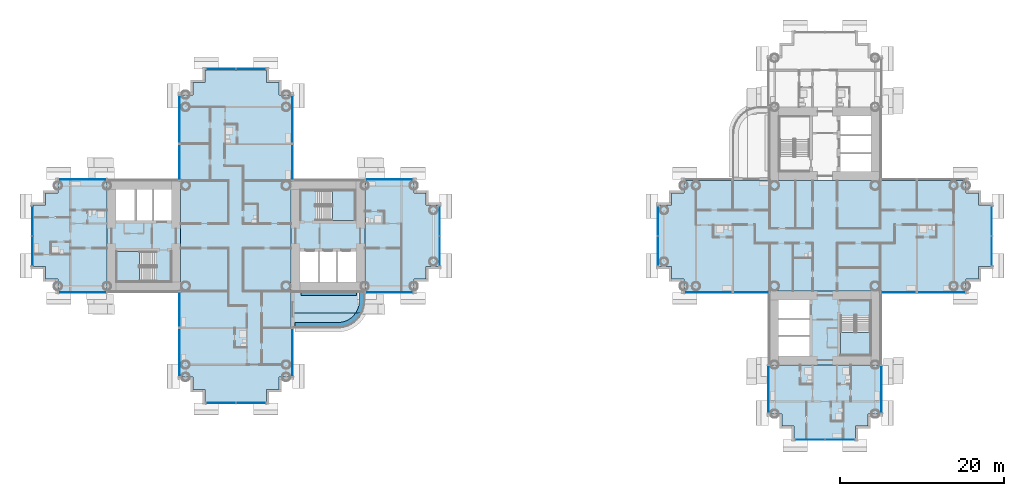
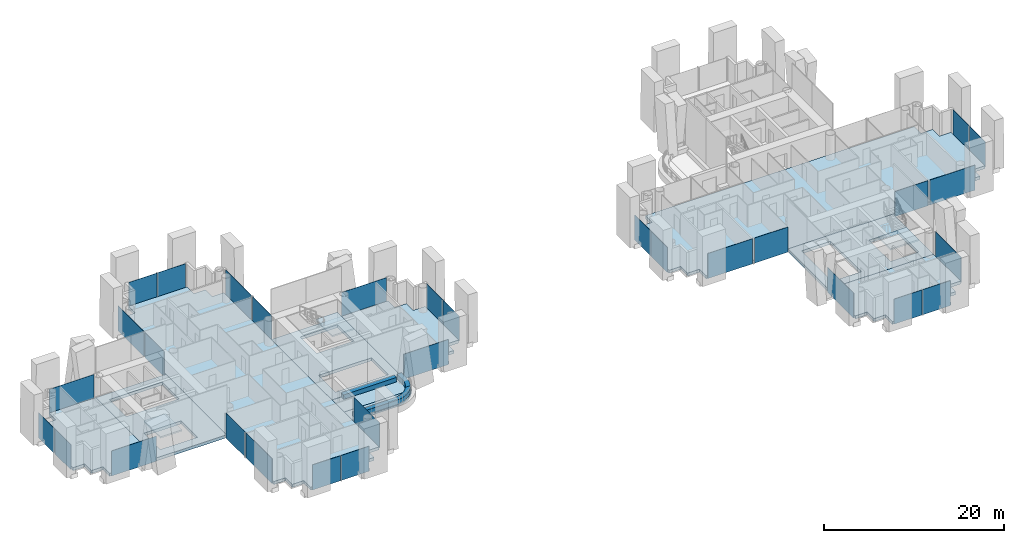
# One storey, part 8 of 23: 31 plates, 16 slabs, 27 elements without a shape of their own.
"""IFC4 building model written with IfcOpenShell, lengths in metres."""

from ifc_helpers import new_model, si_unit, direction, frame, origin, origin_2d, place, context, subcontext, project, spatial, polyline, rectangle, outline, extrude, material, layer, layer_set, type_object, element, aggregate, save


model = new_model("IFC4")

# Units and contexts
model_context = context("Model", 3, precision=1e-05, world=origin(), true_north=direction((0.0, 1.0)))
body_context = subcontext(model_context, "Body", "Model", "MODEL_VIEW")
ifc_project = project(units=[si_unit("LENGTHUNIT", "METRE"), si_unit("AREAUNIT", "SQUARE_METRE"), si_unit("VOLUMEUNIT", "CUBIC_METRE"), si_unit("PLANEANGLEUNIT", "RADIAN"), si_unit("MASSUNIT", "GRAM", prefix="KILO")], contexts=[model_context])

# Site, building, storey
site_placement = place(None, origin())
site = spatial("IfcSite", under=ifc_project, at=site_placement, CompositionType="ELEMENT")
building_placement = place(site_placement, origin())
building = spatial("IfcBuilding", under=site, at=building_placement, Name="Ipe Terrace Towers", CompositionType="ELEMENT")
storey_placement = place(building_placement, frame((0.0, 0.0, 44.89990234375)))
storey = spatial("IfcBuildingStorey", under=building, at=storey_placement, Name="L11", CompositionType="ELEMENT", Elevation=44.89990234375)

# Slabs
ifc_material_1 = material(Name="Concrete C30/37", Category="concrete")
ifc_layer_1 = layer(ifc_material_1, 0.199951171875)
ifc_layer_set_1 = layer_set([ifc_layer_1], Name="BALCONY SLAB 200")
slab_type_1 = type_object("IfcSlabType", Name="BALCONY SLAB 200", PredefinedType="FLOOR", material=ifc_layer_set_1)
slab_1_placement = place(storey_placement, frame((0.0, 0.0, -0.219970703125)))
element("IfcSlab", 1, at=slab_1_placement, inside=storey, type_object=slab_type_1, Name="balcony slab", PredefinedType="FLOOR", context=body_context, shape_type="SweptSolid", body=[
    extrude(outline(polyline([(-20.5009765625, -9.212890625), (-20.362060546875, -8.803955078125), (-20.278076171875, -8.381103515625), (-20.25, -7.949951171875), (-20.25, -6.75), (-29.25, -6.75), (-29.25, -9.449951171875), (-20.617919921875, -9.449951171875), (-20.5009765625, -9.212890625)])), origin(), (0.0, 0.0, 1.0), 0.199951171875),
])
slab_2_placement = place(storey_placement, frame((0.0, 0.0, -0.219970703125)))
element("IfcSlab", 2, at=slab_2_placement, inside=storey, type_object=slab_type_1, Name="balcony slab", PredefinedType="FLOOR", context=body_context, shape_type="SweptSolid", body=[
    extrude(outline(polyline([(-29.25, -11.25), (-23.550048828125, -11.25), (-23.118896484375, -11.221923828125), (-22.696044921875, -11.137939453125), (-22.287109375, -10.9990234375), (-21.89990234375, -10.80810546875), (-21.541015625, -10.568115234375), (-21.217041015625, -10.282958984375), (-20.931884765625, -9.958984375), (-20.69189453125, -9.60009765625), (-20.617919921875, -9.449951171875), (-29.25, -9.449951171875), (-29.25, -11.25)])), origin(), (0.0, 0.0, 1.0), 0.199951171875),
])
ifc_material_2 = material(Name="Concrete C30/37", Category="concrete")
ifc_layer_2 = layer(ifc_material_2, 0.39990234375)
ifc_layer_set_2 = layer_set([ifc_layer_2], Name="CORE FLOOR SLAB 400 C30-37")
slab_type_2 = type_object("IfcSlabType", Name="CORE FLOOR SLAB 400 C30-37", PredefinedType="FLOOR", material=ifc_layer_set_2)
slab_3_placement = place(storey_placement, frame((0.0, 0.0, -0.39990234375)))
element("IfcSlab", 3, at=slab_3_placement, inside=storey, type_object=slab_type_2, Name="Core floor T1-C1", PredefinedType="FLOOR", context=body_context, shape_type="SweptSolid", body=[
    extrude(outline(polyline([(-29.25, -6.75), (-29.25, 6.75), (-20.25, 6.75), (-20.25, -6.75), (-29.25, -6.75)]), holes=[polyline([(-28.14990234375, -5.64990234375), (-21.35009765625, -5.64990234375), (-21.35009765625, -1.89990234375), (-28.14990234375, -1.89990234375), (-28.14990234375, -5.64990234375)]), polyline([(-26.199951171875, 5.550048828125), (-26.199951171875, 1.89990234375), (-21.449951171875, 1.89990234375), (-21.449951171875, 5.550048828125), (-26.199951171875, 5.550048828125)])]), origin(), (0.0, 0.0, 1.0), 0.39990234375),
])
slab_4_placement = place(storey_placement, frame((0.0, 0.0, -0.39990234375)))
element("IfcSlab", 4, at=slab_4_placement, inside=storey, type_object=slab_type_2, Name="Core floor T1-C2", PredefinedType="FLOOR", context=body_context, shape_type="SweptSolid", body=[
    extrude(outline(polyline([(-51.75, -6.75), (-51.75, 6.75), (-42.75, 6.75), (-42.75, -6.75), (-51.75, -6.75)]), holes=[polyline([(-45.800048828125, -5.550048828125), (-45.800048828125, -1.89990234375), (-50.550048828125, -1.89990234375), (-50.550048828125, -5.550048828125), (-45.800048828125, -5.550048828125)]), polyline([(-50.64990234375, 1.89990234375), (-43.85009765625, 1.89990234375), (-43.85009765625, 5.64990234375), (-50.64990234375, 5.64990234375), (-50.64990234375, 1.89990234375)])]), origin(), (0.0, 0.0, 1.0), 0.39990234375),
])
slab_5_placement = place(storey_placement, frame((0.0, 0.0, -0.39990234375)))
element("IfcSlab", 5, at=slab_5_placement, inside=storey, type_object=slab_type_2, Name="Core floor T2-C2", PredefinedType="FLOOR", context=body_context, shape_type="SweptSolid", body=[
    extrude(outline(polyline([(29.25, -15.75), (29.25, -6.75), (42.75, -6.75), (42.75, -15.75), (29.25, -15.75)]), holes=[polyline([(34.10009765625, -14.64990234375), (34.10009765625, -7.85009765625), (30.35009765625, -7.85009765625), (30.35009765625, -14.64990234375), (34.10009765625, -14.64990234375)]), polyline([(41.550048828125, -9.800048828125), (37.89990234375, -9.800048828125), (37.89990234375, -14.550048828125), (41.550048828125, -14.550048828125), (41.550048828125, -9.800048828125)])]), origin(), (0.0, 0.0, 1.0), 0.39990234375),
])

# Stair, slab
ifc_material_3 = material(Name="Concrete C30/37", Category="concrete")
stair_type = type_object("IfcStairType", Name="Protected exit stair", PredefinedType="HALF_TURN_STAIR", material=ifc_material_3)
stair_1_placement = place(storey_placement, origin())
stair_1 = element("IfcStair", 6, at=stair_1_placement, inside=storey, type_object=stair_type, Name="L11 Exit stair T1-C1", PredefinedType="HALF_TURN_STAIR")
ifc_material_4 = material(Name="Concrete C30/37", Category="concrete")
ifc_layer_3 = layer(ifc_material_4, 0.199951171875)
ifc_layer_set_3 = layer_set([ifc_layer_3], Name="Exit stair landing 200")
slab_type_3 = type_object("IfcSlabType", Name="Exit stair landing 200", PredefinedType="LANDING", material=ifc_layer_set_3)
slab_6_placement = place(storey_placement, frame((0.0, 0.0, 1.5)))
slab_6 = element("IfcSlab", 7, at=slab_6_placement, type_object=slab_type_3, Name="T1-ST1 landing 1", PredefinedType="LANDING", context=body_context, shape_type="SweptSolid", body=[
    extrude(outline(polyline([(-24.219970703125, 1.89990234375), (-21.449951171875, 1.89990234375), (-21.449951171875, 5.550048828125), (-24.219970703125, 5.550048828125), (-24.219970703125, 1.89990234375)])), origin(), (0.0, 0.0, 1.0), 0.2001953125),
])
aggregate(stair_1, [slab_6])

stair_2_placement = place(storey_placement, origin())
stair_2 = element("IfcStair", 8, at=stair_2_placement, inside=storey, type_object=stair_type, Name="L11 Exit stair T1-C2", PredefinedType="HALF_TURN_STAIR")
slab_7_placement = place(storey_placement, frame((0.0, 0.0, 1.5)))
slab_7 = element("IfcSlab", 9, at=slab_7_placement, type_object=slab_type_3, Name="T1-ST2 landing 1", PredefinedType="LANDING", context=body_context, shape_type="SweptSolid", body=[
    extrude(outline(polyline([(-47.780029296875, -1.89990234375), (-50.550048828125, -1.89990234375), (-50.550048828125, -5.550048828125), (-47.780029296875, -5.550048828125), (-47.780029296875, -1.89990234375)])), origin(), (0.0, 0.0, 1.0), 0.2001953125),
])
aggregate(stair_2, [slab_7])

stair_3_placement = place(storey_placement, origin())
stair_3 = element("IfcStair", 10, at=stair_3_placement, inside=storey, type_object=stair_type, Name="L11 Exit stair T2-C2", PredefinedType="HALF_TURN_STAIR")
slab_8_placement = place(storey_placement, frame((0.0, 0.0, 1.5)))
slab_8 = element("IfcSlab", 11, at=slab_8_placement, type_object=slab_type_3, Name="T2-ST2 landing 1", PredefinedType="LANDING", context=body_context, shape_type="SweptSolid", body=[
    extrude(outline(polyline([(37.89990234375, -11.780029296875), (37.89990234375, -14.550048828125), (41.550048828125, -14.550048828125), (41.550048828125, -11.780029296875), (37.89990234375, -11.780029296875)])), origin(), (0.0, 0.0, 1.0), 0.2001953125),
])
aggregate(stair_3, [slab_8])

# Slabs
ifc_material_5 = material(Name="Concrete C40/50", Category="concrete")
ifc_layer_4 = layer(ifc_material_5, 0.39990234375)
ifc_layer_set_4 = layer_set([ifc_layer_4], Name="FLAT PLATE SLAB 400 C40-50")
slab_type_4 = type_object("IfcSlabType", Name="FLAT PLATE SLAB 400 C40-50", PredefinedType="FLOOR", material=ifc_layer_set_4)
slab_9_placement = place(storey_placement, frame((0.0, 0.0, -0.39990234375)))
element("IfcSlab", 12, at=slab_9_placement, inside=storey, type_object=slab_type_4, Name="Slab T1-FS-Z11", PredefinedType="FLOOR", context=body_context, shape_type="SweptSolid", body=[
    extrude(outline(polyline([(-30.75, -17.25), (-30.75, -18.75), (-32.25, -18.75), (-32.25, -20.25), (-39.75, -20.25), (-39.75, -18.75), (-41.25, -18.75), (-41.25, -17.25), (-42.75, -17.25), (-42.75, -6.75), (-42.75, 6.75), (-42.75, 17.25), (-41.25, 17.25), (-41.25, 18.75), (-39.75, 18.75), (-39.75, 20.25), (-32.25, 20.25), (-32.25, 18.75), (-30.75, 18.75), (-30.75, 17.25), (-29.25, 17.25), (-29.25, 6.75), (-29.25, -6.75), (-29.25, -17.25), (-30.75, -17.25)])), origin(), (0.0, 0.0, 1.0), 0.39990234375),
])
slab_10_placement = place(storey_placement, frame((0.0, 0.0, -0.39990234375)))
element("IfcSlab", 13, at=slab_10_placement, inside=storey, type_object=slab_type_4, Name="Slab T1-FS-Z12", PredefinedType="FLOOR", context=body_context, shape_type="SweptSolid", body=[
    extrude(outline(polyline([(-57.75, -6.75), (-57.75, -5.25), (-59.25, -5.25), (-59.25, -3.75), (-60.75, -3.75), (-60.75, 3.75), (-59.25, 3.75), (-59.25, 5.25), (-57.75, 5.25), (-57.75, 6.75), (-51.75, 6.75), (-51.75, -6.75), (-57.75, -6.75)])), origin(), (0.0, 0.0, 1.0), 0.39990234375),
])
slab_11_placement = place(storey_placement, frame((0.0, 0.0, -0.39990234375)))
element("IfcSlab", 14, at=slab_11_placement, inside=storey, type_object=slab_type_4, Name="Slab T1-FS-Z13", PredefinedType="FLOOR", context=body_context, shape_type="SweptSolid", body=[
    extrude(outline(polyline([(-14.25, 5.25), (-12.75, 5.25), (-12.75, 3.75), (-11.25, 3.75), (-11.25, -3.75), (-12.75, -3.75), (-12.75, -5.25), (-14.25, -5.25), (-14.25, -6.75), (-20.25, -6.75), (-20.25, 6.75), (-14.25, 6.75), (-14.25, 5.25)])), origin(), (0.0, 0.0, 1.0), 0.39990234375),
])
slab_12_placement = place(storey_placement, frame((0.0, 0.0, -0.39990234375)))
element("IfcSlab", 15, at=slab_12_placement, inside=storey, type_object=slab_type_4, Name="Slab T2-FS-Z11", PredefinedType="FLOOR", context=body_context, shape_type="SweptSolid", body=[
    extrude(outline(polyline([(53.25, 5.25), (54.75, 5.25), (54.75, 3.75), (56.25, 3.75), (56.25, -3.75), (54.75, -3.75), (54.75, -5.25), (53.25, -5.25), (53.25, -6.75), (42.75, -6.75), (29.25, -6.75), (18.75, -6.75), (18.75, -5.25), (17.25, -5.25), (17.25, -3.75), (15.75, -3.75), (15.75, 3.75), (17.25, 3.75), (17.25, 5.25), (18.75, 5.25), (18.75, 6.75), (29.25, 6.75), (42.75, 6.75), (53.25, 6.75), (53.25, 5.25)])), origin(), (0.0, 0.0, 1.0), 0.39990234375),
])
slab_13_placement = place(storey_placement, frame((0.0, 0.0, -0.39990234375)))
element("IfcSlab", 16, at=slab_13_placement, inside=storey, type_object=slab_type_4, Name="Slab T2-FS-Z12", PredefinedType="FLOOR", context=body_context, shape_type="SweptSolid", body=[
    extrude(outline(polyline([(42.75, -21.75), (41.25, -21.75), (41.25, -23.25), (39.75, -23.25), (39.75, -24.75), (32.25, -24.75), (32.25, -23.25), (30.75, -23.25), (30.75, -21.75), (29.25, -21.75), (29.25, -15.75), (42.75, -15.75), (42.75, -21.75)])), origin(), (0.0, 0.0, 1.0), 0.39990234375),
])
ifc_material_6 = material(Name="Concrete C30/37", Category="concrete")
ifc_layer_5 = layer(ifc_material_6, 0.60009765625)
ifc_layer_set_5 = layer_set([ifc_layer_5], Name="PLANTER TROUGH 550 x 600")
slab_type_5 = type_object("IfcSlabType", Name="PLANTER TROUGH 550 x 600", PredefinedType="USERDEFINED", material=ifc_layer_set_5)
slab_14_placement = place(storey_placement, frame((0.0, 0.0, -0.02001953125)))
element("IfcSlab", 17, at=slab_14_placement, inside=storey, type_object=slab_type_5, Name="planter", ObjectType="PLANTER", PredefinedType="USERDEFINED", context=body_context, shape_type="SweptSolid", body=[
    extrude(outline(polyline([(-21.0009765625, -8.633056640625), (-21.112060546875, -8.9599609375), (-21.264892578125, -9.26904296875), (-21.385986328125, -9.449951171875), (-20.740966796875, -9.449951171875), (-20.611083984375, -9.18701171875), (-20.596923828125, -9.154052734375), (-20.47509765625, -8.79296875), (-20.465087890625, -8.758056640625), (-20.39111328125, -8.384033203125), (-20.385986328125, -8.347900390625), (-20.361083984375, -7.955078125), (-20.360107421875, -7.93701171875), (-20.360107421875, -6.75), (-20.909912109375, -6.75), (-20.909912109375, -7.927978515625), (-20.93408203125, -8.2939453125), (-21.0009765625, -8.633056640625)])), origin(), (0.0, 0.0, 1.0), 0.60009765625),
])
slab_15_placement = place(storey_placement, frame((0.0, 0.0, -0.02001953125)))
element("IfcSlab", 18, at=slab_15_placement, inside=storey, type_object=slab_type_5, Name="planter", ObjectType="PLANTER", PredefinedType="USERDEFINED", context=body_context, shape_type="SweptSolid", body=[
    extrude(outline(polyline([(-21.45703125, -9.555908203125), (-21.68408203125, -9.81591796875), (-21.944091796875, -10.04296875), (-22.23095703125, -10.235107421875), (-22.5400390625, -10.387939453125), (-22.866943359375, -10.4990234375), (-23.2060546875, -10.56591796875), (-23.572021484375, -10.590087890625), (-28.800048828125, -10.590087890625), (-28.800048828125, -11.139892578125), (-23.56298828125, -11.139892578125), (-23.544921875, -11.138916015625), (-23.152099609375, -11.114013671875), (-23.115966796875, -11.10888671875), (-22.741943359375, -11.034912109375), (-22.70703125, -11.02490234375), (-22.345947265625, -10.903076171875), (-22.31298828125, -10.888916015625), (-21.970947265625, -10.719970703125), (-21.93994140625, -10.701904296875), (-21.623046875, -10.490966796875), (-21.594970703125, -10.468994140625), (-21.30810546875, -10.217041015625), (-21.282958984375, -10.19189453125), (-21.031005859375, -9.905029296875), (-21.009033203125, -9.876953125), (-20.798095703125, -9.56005859375), (-20.780029296875, -9.529052734375), (-20.740966796875, -9.449951171875), (-21.385986328125, -9.449951171875), (-21.45703125, -9.555908203125)])), origin(), (0.0, 0.0, 1.0), 0.60009765625),
])
slab_16_placement = place(storey_placement, frame((0.0, 0.0, -0.02001953125)))
element("IfcSlab", 19, at=slab_16_placement, inside=storey, type_object=slab_type_5, Name="planter", ObjectType="PLANTER", PredefinedType="USERDEFINED", context=body_context, shape_type="SweptSolid", body=[
    extrude(outline(polyline([(-28.050048828125, -6.75), (-28.050048828125, -7.300048828125), (-21.25, -7.300048828125), (-21.25, -6.75), (-28.050048828125, -6.75)])), origin(), (0.0, 0.0, 1.0), 0.60009765625),
])

# Curtain wall, plate
ifc_material_7 = material(Name="Aluminium alloy 6063-T6", Category="aluminium")
ifc_layer_6 = layer(ifc_material_7, 0.320068359375)
ifc_layer_set_6 = layer_set([ifc_layer_6], Name="TOWER UNITISED CURTAIN WALL")
curtain_wall_type = type_object("IfcCurtainWallType", Name="TOWER UNITISED CURTAIN WALL", PredefinedType="NOTDEFINED", material=ifc_layer_set_6)
curtain_wall_1_placement = place(storey_placement, origin())
curtain_wall_1 = element("IfcCurtainWall", 20, at=curtain_wall_1_placement, inside=storey, type_object=curtain_wall_type, Name="T1-CW-L11-04a curtain wall", PredefinedType="NOTDEFINED")
ifc_material_8 = material(Name="Glass, clear laminated", Category="glass")
ifc_layer_7 = layer(ifc_material_8, 0.031982421875)
ifc_layer_set_7 = layer_set([ifc_layer_7], Name="TOWER UNITISED GLASS PANEL 32")
plate_type = type_object("IfcPlateType", Name="TOWER UNITISED GLASS PANEL 32", PredefinedType="CURTAIN_PANEL", material=ifc_layer_set_7)
plate_1_placement = place(storey_placement, frame((-54.75048828125, -6.909912109375, -0.2998046875), z_axis=(0.0, 0.0, 1.0), x_axis=(1.0, 0.0, 0.0)))
plate_1 = element("IfcPlate", 21, at=plate_1_placement, type_object=plate_type, Name="T1-CW-L11-04a panel 1", PredefinedType="CURTAIN_PANEL", context=body_context, shape_type="SweptSolid", body=[
    extrude(rectangle(XDim=5.759033203125, YDim=0.031982421875, at=origin_2d()), origin(), (0.0, 0.0, 1.0), 3.39990234375),
])
aggregate(curtain_wall_1, [plate_1])

curtain_wall_2_placement = place(storey_placement, origin())
curtain_wall_2 = element("IfcCurtainWall", 22, at=curtain_wall_2_placement, inside=storey, type_object=curtain_wall_type, Name="T1-CW-L11-06a curtain wall", PredefinedType="NOTDEFINED")
plate_2_placement = place(storey_placement, frame((-42.909912109375, -9.0, -0.2998046875), z_axis=(0.0, 0.0, 1.0), x_axis=(0.0, -1.0, 0.0)))
plate_2 = element("IfcPlate", 23, at=plate_2_placement, type_object=plate_type, Name="T1-CW-L11-06a panel 1", PredefinedType="CURTAIN_PANEL", context=body_context, shape_type="SweptSolid", body=[
    extrude(rectangle(XDim=4.260009765625, YDim=0.031982421875, at=origin_2d()), origin(), (0.0, 0.0, 1.0), 3.39990234375),
])
aggregate(curtain_wall_2, [plate_2])

curtain_wall_3_placement = place(storey_placement, origin())
curtain_wall_3 = element("IfcCurtainWall", 24, at=curtain_wall_3_placement, inside=storey, type_object=curtain_wall_type, Name="T1-CW-L11-07a curtain wall", PredefinedType="NOTDEFINED")
plate_3_placement = place(storey_placement, frame((-42.909912109375, -14.25, -0.2998046875), z_axis=(0.0, 0.0, 1.0), x_axis=(0.0, -1.0, 0.0)))
plate_3 = element("IfcPlate", 25, at=plate_3_placement, type_object=plate_type, Name="T1-CW-L11-07a panel 1", PredefinedType="CURTAIN_PANEL", context=body_context, shape_type="SweptSolid", body=[
    extrude(rectangle(XDim=5.760009765625, YDim=0.031982421875, at=origin_2d()), origin(), (0.0, 0.0, 1.0), 3.39990234375),
])
aggregate(curtain_wall_3, [plate_3])

# Curtain wall, plates
curtain_wall_4_placement = place(storey_placement, origin())
curtain_wall_4 = element("IfcCurtainWall", 26, at=curtain_wall_4_placement, inside=storey, type_object=curtain_wall_type, Name="T1-CW-L11-12a curtain wall", PredefinedType="NOTDEFINED")
plate_4_placement = place(storey_placement, frame((-37.831298828125, -20.409912109375, -0.2998046875), z_axis=(0.0, 0.0, 1.0), x_axis=(1.0, 0.0, 0.0)))
plate_4 = element("IfcPlate", 27, at=plate_4_placement, type_object=plate_type, Name="T1-CW-L11-12a panel 1", PredefinedType="CURTAIN_PANEL", context=body_context, shape_type="SweptSolid", body=[
    extrude(rectangle(XDim=3.597412109375, YDim=0.031982421875, at=origin_2d()), origin(), (0.0, 0.0, 1.0), 3.39990234375),
])
plate_5_placement = place(storey_placement, frame((-34.168701171875, -20.409912109375, -0.2998046875), z_axis=(0.0, 0.0, 1.0), x_axis=(1.0, 0.0, 0.0)))
plate_5 = element("IfcPlate", 28, at=plate_5_placement, type_object=plate_type, Name="T1-CW-L11-12a panel 2", PredefinedType="CURTAIN_PANEL", context=body_context, shape_type="SweptSolid", body=[
    extrude(rectangle(XDim=3.597412109375, YDim=0.031982421875, at=origin_2d()), origin(), (0.0, 0.0, 1.0), 3.39990234375),
])
aggregate(curtain_wall_4, [plate_4, plate_5])

# Curtain wall, plate
curtain_wall_5_placement = place(storey_placement, origin())
curtain_wall_5 = element("IfcCurtainWall", 29, at=curtain_wall_5_placement, inside=storey, type_object=curtain_wall_type, Name="T1-CW-L11-17a curtain wall", PredefinedType="NOTDEFINED")
plate_6_placement = place(storey_placement, frame((-29.090087890625, -14.25, -0.2998046875), z_axis=(0.0, 0.0, 1.0), x_axis=(0.0, 1.0, 0.0)))
plate_6 = element("IfcPlate", 30, at=plate_6_placement, type_object=plate_type, Name="T1-CW-L11-17a panel 1", PredefinedType="CURTAIN_PANEL", context=body_context, shape_type="SweptSolid", body=[
    extrude(rectangle(XDim=5.760009765625, YDim=0.031982421875, at=origin_2d()), origin(), (0.0, 0.0, 1.0), 3.39990234375),
])
aggregate(curtain_wall_5, [plate_6])

curtain_wall_6_placement = place(storey_placement, origin())
curtain_wall_6 = element("IfcCurtainWall", 31, at=curtain_wall_6_placement, inside=storey, type_object=curtain_wall_type, Name="T1-CW-L11-20b curtain wall", PredefinedType="NOTDEFINED")
plate_7_placement = place(storey_placement, frame((-17.24951171875, -6.909912109375, -0.2998046875), z_axis=(0.0, 0.0, 1.0), x_axis=(1.0, 0.0, 0.0)))
plate_7 = element("IfcPlate", 32, at=plate_7_placement, type_object=plate_type, Name="T1-CW-L11-20b panel 1", PredefinedType="CURTAIN_PANEL", context=body_context, shape_type="SweptSolid", body=[
    extrude(rectangle(XDim=5.759033203125, YDim=0.031982421875, at=origin_2d()), origin(), (0.0, 0.0, 1.0), 3.39990234375),
])
aggregate(curtain_wall_6, [plate_7])

# Curtain wall, plates
curtain_wall_7_placement = place(storey_placement, origin())
curtain_wall_7 = element("IfcCurtainWall", 33, at=curtain_wall_7_placement, inside=storey, type_object=curtain_wall_type, Name="T1-CW-L11-25a curtain wall", PredefinedType="NOTDEFINED")
plate_8_placement = place(storey_placement, frame((-11.090087890625, -1.831298828125, -0.2998046875), z_axis=(0.0, 0.0, 1.0), x_axis=(0.0, 1.0, 0.0)))
plate_8 = element("IfcPlate", 34, at=plate_8_placement, type_object=plate_type, Name="T1-CW-L11-25a panel 1", PredefinedType="CURTAIN_PANEL", context=body_context, shape_type="SweptSolid", body=[
    extrude(rectangle(XDim=3.597412109375, YDim=0.031982421875, at=origin_2d()), origin(), (0.0, 0.0, 1.0), 3.39990234375),
])
plate_9_placement = place(storey_placement, frame((-11.090087890625, 1.831298828125, -0.2998046875), z_axis=(0.0, 0.0, 1.0), x_axis=(0.0, 1.0, 0.0)))
plate_9 = element("IfcPlate", 35, at=plate_9_placement, type_object=plate_type, Name="T1-CW-L11-25a panel 2", PredefinedType="CURTAIN_PANEL", context=body_context, shape_type="SweptSolid", body=[
    extrude(rectangle(XDim=3.597412109375, YDim=0.031982421875, at=origin_2d()), origin(), (0.0, 0.0, 1.0), 3.39990234375),
])
aggregate(curtain_wall_7, [plate_8, plate_9])

# Curtain wall, plate
curtain_wall_8_placement = place(storey_placement, origin())
curtain_wall_8 = element("IfcCurtainWall", 36, at=curtain_wall_8_placement, inside=storey, type_object=curtain_wall_type, Name="T1-CW-L11-30a curtain wall", PredefinedType="NOTDEFINED")
plate_10_placement = place(storey_placement, frame((-17.24951171875, 6.909912109375, -0.2998046875), z_axis=(0.0, 0.0, 1.0), x_axis=(-1.0, 0.0, 0.0)))
plate_10 = element("IfcPlate", 37, at=plate_10_placement, type_object=plate_type, Name="T1-CW-L11-30a panel 1", PredefinedType="CURTAIN_PANEL", context=body_context, shape_type="SweptSolid", body=[
    extrude(rectangle(XDim=5.759033203125, YDim=0.031982421875, at=origin_2d()), origin(), (0.0, 0.0, 1.0), 3.39990234375),
])
aggregate(curtain_wall_8, [plate_10])

curtain_wall_9_placement = place(storey_placement, origin())
curtain_wall_9 = element("IfcCurtainWall", 38, at=curtain_wall_9_placement, inside=storey, type_object=curtain_wall_type, Name="T1-CW-L11-32a curtain wall", PredefinedType="NOTDEFINED")
plate_11_placement = place(storey_placement, frame((-29.090087890625, 9.0, -0.2998046875), z_axis=(0.0, 0.0, 1.0), x_axis=(0.0, 1.0, 0.0)))
plate_11 = element("IfcPlate", 39, at=plate_11_placement, type_object=plate_type, Name="T1-CW-L11-32a panel 1", PredefinedType="CURTAIN_PANEL", context=body_context, shape_type="SweptSolid", body=[
    extrude(rectangle(XDim=4.260009765625, YDim=0.031982421875, at=origin_2d()), origin(), (0.0, 0.0, 1.0), 3.39990234375),
])
aggregate(curtain_wall_9, [plate_11])

curtain_wall_10_placement = place(storey_placement, origin())
curtain_wall_10 = element("IfcCurtainWall", 40, at=curtain_wall_10_placement, inside=storey, type_object=curtain_wall_type, Name="T1-CW-L11-33a curtain wall", PredefinedType="NOTDEFINED")
plate_12_placement = place(storey_placement, frame((-29.090087890625, 14.25, -0.2998046875), z_axis=(0.0, 0.0, 1.0), x_axis=(0.0, 1.0, 0.0)))
plate_12 = element("IfcPlate", 41, at=plate_12_placement, type_object=plate_type, Name="T1-CW-L11-33a panel 1", PredefinedType="CURTAIN_PANEL", context=body_context, shape_type="SweptSolid", body=[
    extrude(rectangle(XDim=5.760009765625, YDim=0.031982421875, at=origin_2d()), origin(), (0.0, 0.0, 1.0), 3.39990234375),
])
aggregate(curtain_wall_10, [plate_12])

# Curtain wall, plates
curtain_wall_11_placement = place(storey_placement, origin())
curtain_wall_11 = element("IfcCurtainWall", 42, at=curtain_wall_11_placement, inside=storey, type_object=curtain_wall_type, Name="T1-CW-L11-38a curtain wall", PredefinedType="NOTDEFINED")
plate_13_placement = place(storey_placement, frame((-34.168701171875, 20.409912109375, -0.2998046875), z_axis=(0.0, 0.0, 1.0), x_axis=(-1.0, 0.0, 0.0)))
plate_13 = element("IfcPlate", 43, at=plate_13_placement, type_object=plate_type, Name="T1-CW-L11-38a panel 1", PredefinedType="CURTAIN_PANEL", context=body_context, shape_type="SweptSolid", body=[
    extrude(rectangle(XDim=3.597412109375, YDim=0.031982421875, at=origin_2d()), origin(), (0.0, 0.0, 1.0), 3.39990234375),
])
plate_14_placement = place(storey_placement, frame((-37.831298828125, 20.409912109375, -0.2998046875), z_axis=(0.0, 0.0, 1.0), x_axis=(-1.0, 0.0, 0.0)))
plate_14 = element("IfcPlate", 44, at=plate_14_placement, type_object=plate_type, Name="T1-CW-L11-38a panel 2", PredefinedType="CURTAIN_PANEL", context=body_context, shape_type="SweptSolid", body=[
    extrude(rectangle(XDim=3.597412109375, YDim=0.031982421875, at=origin_2d()), origin(), (0.0, 0.0, 1.0), 3.39990234375),
])
aggregate(curtain_wall_11, [plate_13, plate_14])

# Curtain wall, plate
curtain_wall_12_placement = place(storey_placement, origin())
curtain_wall_12 = element("IfcCurtainWall", 45, at=curtain_wall_12_placement, inside=storey, type_object=curtain_wall_type, Name="T1-CW-L11-43a curtain wall", PredefinedType="NOTDEFINED")
plate_15_placement = place(storey_placement, frame((-42.909912109375, 14.25, -0.2998046875), z_axis=(0.0, 0.0, 1.0), x_axis=(0.0, -1.0, 0.0)))
plate_15 = element("IfcPlate", 46, at=plate_15_placement, type_object=plate_type, Name="T1-CW-L11-43a panel 1", PredefinedType="CURTAIN_PANEL", context=body_context, shape_type="SweptSolid", body=[
    extrude(rectangle(XDim=5.760009765625, YDim=0.031982421875, at=origin_2d()), origin(), (0.0, 0.0, 1.0), 3.39990234375),
])
aggregate(curtain_wall_12, [plate_15])

curtain_wall_13_placement = place(storey_placement, origin())
curtain_wall_13 = element("IfcCurtainWall", 47, at=curtain_wall_13_placement, inside=storey, type_object=curtain_wall_type, Name="T1-CW-L11-44a curtain wall", PredefinedType="NOTDEFINED")
plate_16_placement = place(storey_placement, frame((-42.909912109375, 9.0, -0.2998046875), z_axis=(0.0, 0.0, 1.0), x_axis=(0.0, -1.0, 0.0)))
plate_16 = element("IfcPlate", 48, at=plate_16_placement, type_object=plate_type, Name="T1-CW-L11-44a panel 1", PredefinedType="CURTAIN_PANEL", context=body_context, shape_type="SweptSolid", body=[
    extrude(rectangle(XDim=4.260009765625, YDim=0.031982421875, at=origin_2d()), origin(), (0.0, 0.0, 1.0), 3.39990234375),
])
aggregate(curtain_wall_13, [plate_16])

curtain_wall_14_placement = place(storey_placement, origin())
curtain_wall_14 = element("IfcCurtainWall", 49, at=curtain_wall_14_placement, inside=storey, type_object=curtain_wall_type, Name="T1-CW-L11-46b curtain wall", PredefinedType="NOTDEFINED")
plate_17_placement = place(storey_placement, frame((-54.75048828125, 6.909912109375, -0.2998046875), z_axis=(0.0, 0.0, 1.0), x_axis=(-1.0, 0.0, 0.0)))
plate_17 = element("IfcPlate", 50, at=plate_17_placement, type_object=plate_type, Name="T1-CW-L11-46b panel 1", PredefinedType="CURTAIN_PANEL", context=body_context, shape_type="SweptSolid", body=[
    extrude(rectangle(XDim=5.759033203125, YDim=0.031982421875, at=origin_2d()), origin(), (0.0, 0.0, 1.0), 3.39990234375),
])
aggregate(curtain_wall_14, [plate_17])

# Curtain wall, plates
curtain_wall_15_placement = place(storey_placement, origin())
curtain_wall_15 = element("IfcCurtainWall", 51, at=curtain_wall_15_placement, inside=storey, type_object=curtain_wall_type, Name="T1-CW-L11-51a curtain wall", PredefinedType="NOTDEFINED")
plate_18_placement = place(storey_placement, frame((-60.909912109375, 1.831298828125, -0.2998046875), z_axis=(0.0, 0.0, 1.0), x_axis=(0.0, -1.0, 0.0)))
plate_18 = element("IfcPlate", 52, at=plate_18_placement, type_object=plate_type, Name="T1-CW-L11-51a panel 1", PredefinedType="CURTAIN_PANEL", context=body_context, shape_type="SweptSolid", body=[
    extrude(rectangle(XDim=3.597412109375, YDim=0.031982421875, at=origin_2d()), origin(), (0.0, 0.0, 1.0), 3.39990234375),
])
plate_19_placement = place(storey_placement, frame((-60.909912109375, -1.831298828125, -0.2998046875), z_axis=(0.0, 0.0, 1.0), x_axis=(0.0, -1.0, 0.0)))
plate_19 = element("IfcPlate", 53, at=plate_19_placement, type_object=plate_type, Name="T1-CW-L11-51a panel 2", PredefinedType="CURTAIN_PANEL", context=body_context, shape_type="SweptSolid", body=[
    extrude(rectangle(XDim=3.597412109375, YDim=0.031982421875, at=origin_2d()), origin(), (0.0, 0.0, 1.0), 3.39990234375),
])
aggregate(curtain_wall_15, [plate_18, plate_19])

# Curtain wall, plate
curtain_wall_16_placement = place(storey_placement, origin())
curtain_wall_16 = element("IfcCurtainWall", 54, at=curtain_wall_16_placement, inside=storey, type_object=curtain_wall_type, Name="T2-CW-L11-04a curtain wall", PredefinedType="NOTDEFINED")
plate_20_placement = place(storey_placement, frame((42.909912109375, -18.75048828125, -0.2998046875), z_axis=(0.0, 0.0, 1.0), x_axis=(0.0, 1.0, 0.0)))
plate_20 = element("IfcPlate", 55, at=plate_20_placement, type_object=plate_type, Name="T2-CW-L11-04a panel 1", PredefinedType="CURTAIN_PANEL", context=body_context, shape_type="SweptSolid", body=[
    extrude(rectangle(XDim=5.759033203125, YDim=0.031982421875, at=origin_2d()), origin(), (0.0, 0.0, 1.0), 3.39990234375),
])
aggregate(curtain_wall_16, [plate_20])

curtain_wall_17_placement = place(storey_placement, origin())
curtain_wall_17 = element("IfcCurtainWall", 56, at=curtain_wall_17_placement, inside=storey, type_object=curtain_wall_type, Name="T2-CW-L11-06a curtain wall", PredefinedType="NOTDEFINED")
plate_21_placement = place(storey_placement, frame((45.0, -6.909912109375, -0.2998046875), z_axis=(0.0, 0.0, 1.0), x_axis=(1.0, 0.0, 0.0)))
plate_21 = element("IfcPlate", 57, at=plate_21_placement, type_object=plate_type, Name="T2-CW-L11-06a panel 1", PredefinedType="CURTAIN_PANEL", context=body_context, shape_type="SweptSolid", body=[
    extrude(rectangle(XDim=4.260009765625, YDim=0.031982421875, at=origin_2d()), origin(), (0.0, 0.0, 1.0), 3.39990234375),
])
aggregate(curtain_wall_17, [plate_21])

curtain_wall_18_placement = place(storey_placement, origin())
curtain_wall_18 = element("IfcCurtainWall", 58, at=curtain_wall_18_placement, inside=storey, type_object=curtain_wall_type, Name="T2-CW-L11-07a curtain wall", PredefinedType="NOTDEFINED")
plate_22_placement = place(storey_placement, frame((50.25, -6.909912109375, -0.2998046875), z_axis=(0.0, 0.0, 1.0), x_axis=(1.0, 0.0, 0.0)))
plate_22 = element("IfcPlate", 59, at=plate_22_placement, type_object=plate_type, Name="T2-CW-L11-07a panel 1", PredefinedType="CURTAIN_PANEL", context=body_context, shape_type="SweptSolid", body=[
    extrude(rectangle(XDim=5.760009765625, YDim=0.031982421875, at=origin_2d()), origin(), (0.0, 0.0, 1.0), 3.39990234375),
])
aggregate(curtain_wall_18, [plate_22])

# Curtain wall, plates
curtain_wall_19_placement = place(storey_placement, origin())
curtain_wall_19 = element("IfcCurtainWall", 60, at=curtain_wall_19_placement, inside=storey, type_object=curtain_wall_type, Name="T2-CW-L11-12a curtain wall", PredefinedType="NOTDEFINED")
plate_23_placement = place(storey_placement, frame((56.409912109375, -1.831298828125, -0.2998046875), z_axis=(0.0, 0.0, 1.0), x_axis=(0.0, 1.0, 0.0)))
plate_23 = element("IfcPlate", 61, at=plate_23_placement, type_object=plate_type, Name="T2-CW-L11-12a panel 1", PredefinedType="CURTAIN_PANEL", context=body_context, shape_type="SweptSolid", body=[
    extrude(rectangle(XDim=3.597412109375, YDim=0.031982421875, at=origin_2d()), origin(), (0.0, 0.0, 1.0), 3.39990234375),
])
plate_24_placement = place(storey_placement, frame((56.409912109375, 1.831298828125, -0.2998046875), z_axis=(0.0, 0.0, 1.0), x_axis=(0.0, 1.0, 0.0)))
plate_24 = element("IfcPlate", 62, at=plate_24_placement, type_object=plate_type, Name="T2-CW-L11-12a panel 2", PredefinedType="CURTAIN_PANEL", context=body_context, shape_type="SweptSolid", body=[
    extrude(rectangle(XDim=3.597412109375, YDim=0.031982421875, at=origin_2d()), origin(), (0.0, 0.0, 1.0), 3.39990234375),
])
aggregate(curtain_wall_19, [plate_23, plate_24])

curtain_wall_20_placement = place(storey_placement, origin())
curtain_wall_20 = element("IfcCurtainWall", 63, at=curtain_wall_20_placement, inside=storey, type_object=curtain_wall_type, Name="T2-CW-L11-38a curtain wall", PredefinedType="NOTDEFINED")
plate_25_placement = place(storey_placement, frame((15.590087890625, 1.831298828125, -0.2998046875), z_axis=(0.0, 0.0, 1.0), x_axis=(0.0, -1.0, 0.0)))
plate_25 = element("IfcPlate", 64, at=plate_25_placement, type_object=plate_type, Name="T2-CW-L11-38a panel 1", PredefinedType="CURTAIN_PANEL", context=body_context, shape_type="SweptSolid", body=[
    extrude(rectangle(XDim=3.597412109375, YDim=0.031982421875, at=origin_2d()), origin(), (0.0, 0.0, 1.0), 3.39990234375),
])
plate_26_placement = place(storey_placement, frame((15.590087890625, -1.831298828125, -0.2998046875), z_axis=(0.0, 0.0, 1.0), x_axis=(0.0, -1.0, 0.0)))
plate_26 = element("IfcPlate", 65, at=plate_26_placement, type_object=plate_type, Name="T2-CW-L11-38a panel 2", PredefinedType="CURTAIN_PANEL", context=body_context, shape_type="SweptSolid", body=[
    extrude(rectangle(XDim=3.597412109375, YDim=0.031982421875, at=origin_2d()), origin(), (0.0, 0.0, 1.0), 3.39990234375),
])
aggregate(curtain_wall_20, [plate_25, plate_26])

# Curtain wall, plate
curtain_wall_21_placement = place(storey_placement, origin())
curtain_wall_21 = element("IfcCurtainWall", 66, at=curtain_wall_21_placement, inside=storey, type_object=curtain_wall_type, Name="T2-CW-L11-43a curtain wall", PredefinedType="NOTDEFINED")
plate_27_placement = place(storey_placement, frame((21.75, -6.909912109375, -0.2998046875), z_axis=(0.0, 0.0, 1.0), x_axis=(1.0, 0.0, 0.0)))
plate_27 = element("IfcPlate", 67, at=plate_27_placement, type_object=plate_type, Name="T2-CW-L11-43a panel 1", PredefinedType="CURTAIN_PANEL", context=body_context, shape_type="SweptSolid", body=[
    extrude(rectangle(XDim=5.760009765625, YDim=0.031982421875, at=origin_2d()), origin(), (0.0, 0.0, 1.0), 3.39990234375),
])
aggregate(curtain_wall_21, [plate_27])

curtain_wall_22_placement = place(storey_placement, origin())
curtain_wall_22 = element("IfcCurtainWall", 68, at=curtain_wall_22_placement, inside=storey, type_object=curtain_wall_type, Name="T2-CW-L11-44a curtain wall", PredefinedType="NOTDEFINED")
plate_28_placement = place(storey_placement, frame((27.0, -6.909912109375, -0.2998046875), z_axis=(0.0, 0.0, 1.0), x_axis=(1.0, 0.0, 0.0)))
plate_28 = element("IfcPlate", 69, at=plate_28_placement, type_object=plate_type, Name="T2-CW-L11-44a panel 1", PredefinedType="CURTAIN_PANEL", context=body_context, shape_type="SweptSolid", body=[
    extrude(rectangle(XDim=4.260009765625, YDim=0.031982421875, at=origin_2d()), origin(), (0.0, 0.0, 1.0), 3.39990234375),
])
aggregate(curtain_wall_22, [plate_28])

curtain_wall_23_placement = place(storey_placement, origin())
curtain_wall_23 = element("IfcCurtainWall", 70, at=curtain_wall_23_placement, inside=storey, type_object=curtain_wall_type, Name="T2-CW-L11-46b curtain wall", PredefinedType="NOTDEFINED")
plate_29_placement = place(storey_placement, frame((29.090087890625, -18.75048828125, -0.2998046875), z_axis=(0.0, 0.0, 1.0), x_axis=(0.0, -1.0, 0.0)))
plate_29 = element("IfcPlate", 71, at=plate_29_placement, type_object=plate_type, Name="T2-CW-L11-46b panel 1", PredefinedType="CURTAIN_PANEL", context=body_context, shape_type="SweptSolid", body=[
    extrude(rectangle(XDim=5.759033203125, YDim=0.031982421875, at=origin_2d()), origin(), (0.0, 0.0, 1.0), 3.39990234375),
])
aggregate(curtain_wall_23, [plate_29])

# Curtain wall, plates
curtain_wall_24_placement = place(storey_placement, origin())
curtain_wall_24 = element("IfcCurtainWall", 72, at=curtain_wall_24_placement, inside=storey, type_object=curtain_wall_type, Name="T2-CW-L11-51a curtain wall", PredefinedType="NOTDEFINED")
plate_30_placement = place(storey_placement, frame((34.168701171875, -24.909912109375, -0.2998046875), z_axis=(0.0, 0.0, 1.0), x_axis=(1.0, 0.0, 0.0)))
plate_30 = element("IfcPlate", 73, at=plate_30_placement, type_object=plate_type, Name="T2-CW-L11-51a panel 1", PredefinedType="CURTAIN_PANEL", context=body_context, shape_type="SweptSolid", body=[
    extrude(rectangle(XDim=3.597412109375, YDim=0.031982421875, at=origin_2d()), origin(), (0.0, 0.0, 1.0), 3.39990234375),
])
plate_31_placement = place(storey_placement, frame((37.831298828125, -24.909912109375, -0.2998046875), z_axis=(0.0, 0.0, 1.0), x_axis=(1.0, 0.0, 0.0)))
plate_31 = element("IfcPlate", 74, at=plate_31_placement, type_object=plate_type, Name="T2-CW-L11-51a panel 2", PredefinedType="CURTAIN_PANEL", context=body_context, shape_type="SweptSolid", body=[
    extrude(rectangle(XDim=3.597412109375, YDim=0.031982421875, at=origin_2d()), origin(), (0.0, 0.0, 1.0), 3.39990234375),
])
aggregate(curtain_wall_24, [plate_30, plate_31])

save(model, "model.ifc")
